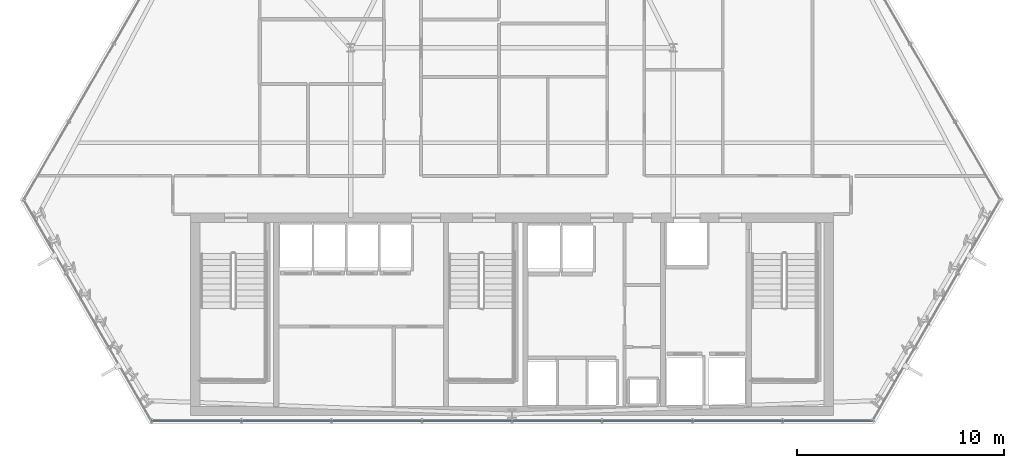
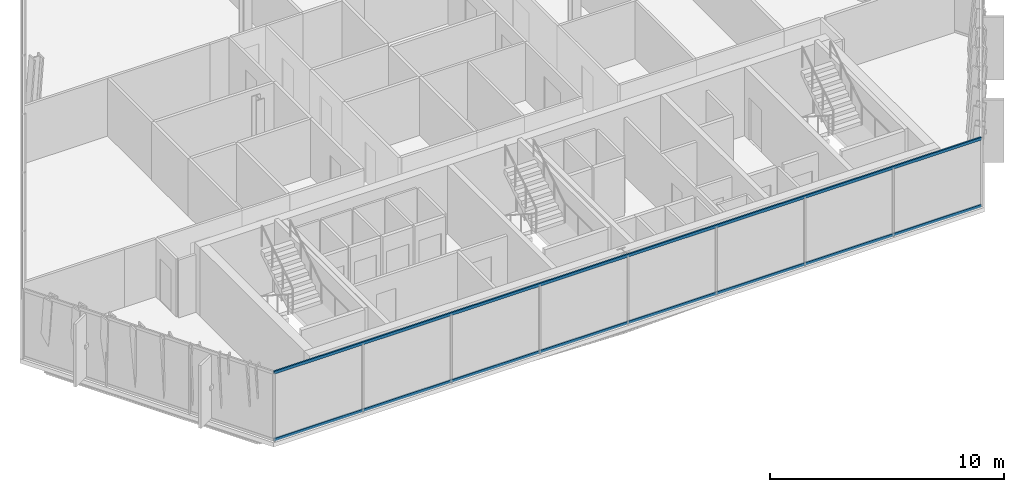
# One storey, part 8 of 32: 2 members, 1 element without a shape of its own.
"""IFC4 building model written with IfcOpenShell, lengths in metres."""

from ifc_helpers import new_model, si_unit, direction, frame, origin, origin_2d, place, context, subcontext, project, spatial, hollow_rectangle, extrude, material, layer, layer_set, material_profile, profile_set, type_object, element, aggregate, save


model = new_model("IFC4")

# Units and contexts
model_context = context("Model", 3, precision=1e-05, world=origin(), true_north=direction((0.0, 1.0)))
body_context = subcontext(model_context, "Body", "Model", "MODEL_VIEW")
ifc_project = project(units=[si_unit("LENGTHUNIT", "METRE"), si_unit("AREAUNIT", "SQUARE_METRE"), si_unit("VOLUMEUNIT", "CUBIC_METRE"), si_unit("PLANEANGLEUNIT", "RADIAN"), si_unit("MASSUNIT", "GRAM", prefix="KILO")], contexts=[model_context])

# Site, building, storey
site_placement = place(None, origin())
site = spatial("IfcSite", under=ifc_project, at=site_placement, CompositionType="ELEMENT")
building_placement = place(site_placement, origin())
building = spatial("IfcBuilding", under=site, at=building_placement, Name="Ndaravel Arena Tower", CompositionType="ELEMENT")
storey_placement = place(building_placement, frame((0.0, 0.0, 134.60009765625)))
storey = spatial("IfcBuildingStorey", under=building, at=storey_placement, Name="L31", CompositionType="ELEMENT", Elevation=134.60009765625)

# Curtain wall, members
ifc_material_1 = material(Name="Aluminium", Category="aluminium")
ifc_layer = layer(ifc_material_1, 0.179931640625)
ifc_layer_set = layer_set([ifc_layer], Name="Aluminium")
curtain_wall_type = type_object("IfcCurtainWallType", Name="CW-SYS-03", PredefinedType="NOTDEFINED", material=ifc_layer_set)
curtain_wall_placement = place(storey_placement, origin())
curtain_wall = element("IfcCurtainWall", 1, at=curtain_wall_placement, inside=storey, type_object=curtain_wall_type, Name="L31 Faceted Crystal Curtain Wall CW-L31-E01", PredefinedType="NOTDEFINED")
ifc_material_2 = material(Name="Aluminium", Category="aluminium")
ifc_material_profile = material_profile(ifc_material_2, hollow_rectangle(XDim=0.074951171875, YDim=0.14990234375, WallThickness=0.00390625, at=origin_2d()), Name="CW TRANSOM 75x150x4")
ifc_profile_set = profile_set([ifc_material_profile], Name="Aluminium")
member_type = type_object("IfcMemberType", Name="MEM-CW-TRN150", PredefinedType="USERDEFINED", material=ifc_profile_set)
member_1_placement = place(storey_placement, frame((24.555419921875, 5.159912109375, 0.039794921875), z_axis=(1.0, 0.0, 0.0), x_axis=(0.0, 1.0, 0.0)))
member_1 = element("IfcMember", 2, at=member_1_placement, type_object=member_type, Name="CW-L31-E01 Transom 01", ObjectType="TRANSOM", PredefinedType="USERDEFINED", context=body_context, shape_type="SweptSolid", body=[
    extrude(hollow_rectangle(XDim=0.074951171875, YDim=0.14990234375, WallThickness=0.00390625, at=origin_2d()), origin(), (0.0, 0.0, 1.0), 34.88916015625),
])
member_2_placement = place(storey_placement, frame((24.555419921875, 5.159912109375, 3.539794921875), z_axis=(1.0, 0.0, 0.0), x_axis=(0.0, 1.0, 0.0)))
member_2 = element("IfcMember", 3, at=member_2_placement, type_object=member_type, Name="CW-L31-E01 Transom 02", ObjectType="TRANSOM", PredefinedType="USERDEFINED", context=body_context, shape_type="SweptSolid", body=[
    extrude(hollow_rectangle(XDim=0.074951171875, YDim=0.14990234375, WallThickness=0.00390625, at=origin_2d()), origin(), (0.0, 0.0, 1.0), 34.88916015625),
])
aggregate(curtain_wall, [member_1, member_2])

save(model, "model.ifc")
